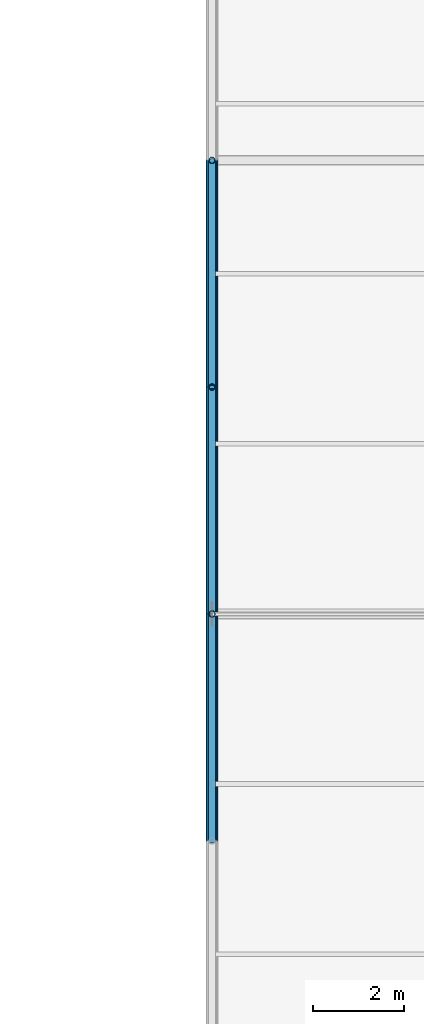
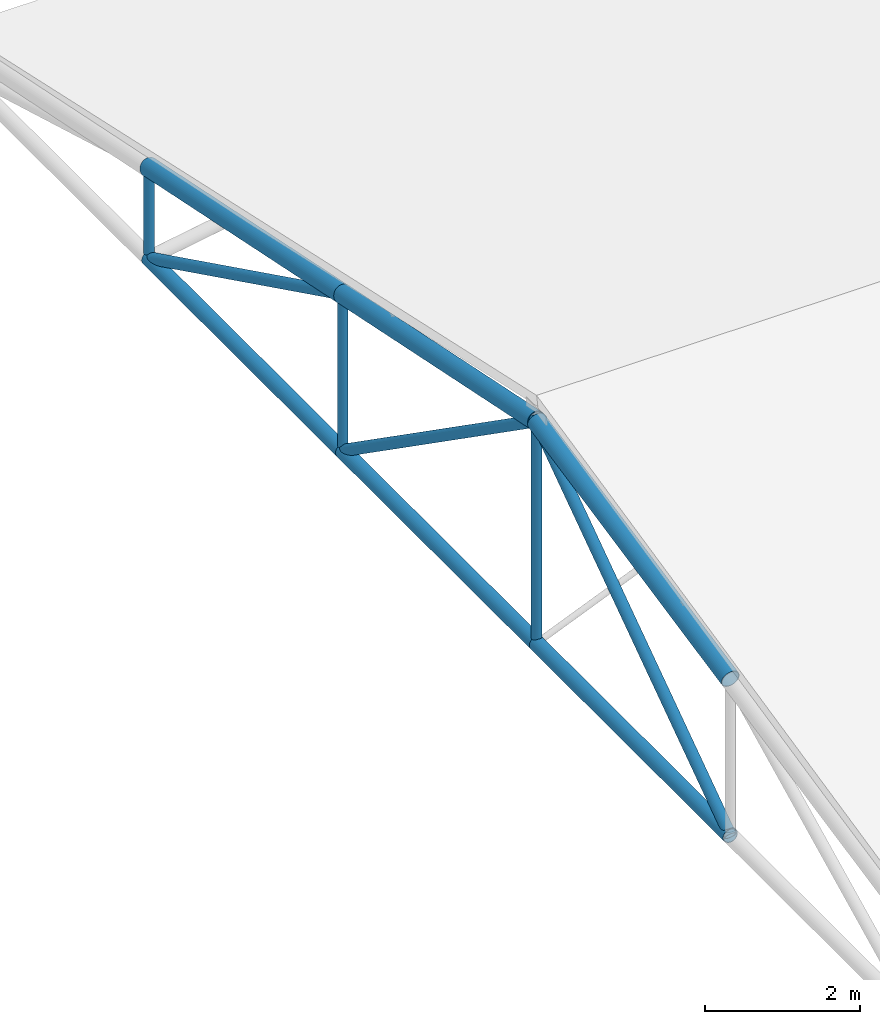
# One storey, part 12 of 194: 12 members.
"""IFC4 building model written with IfcOpenShell, lengths in metres."""

from ifc_helpers import new_model, si_unit, direction, frame, origin, origin_2d, place, context, subcontext, project, spatial, hollow_circle, extrude, material, material_profile, profile_set, type_object, element, save


model = new_model("IFC4")

# Units and contexts
model_context = context("Model", 3, precision=1e-05, world=origin(), true_north=direction((0.0, 1.0)))
body_context = subcontext(model_context, "Body", "Model", "MODEL_VIEW")
ifc_project = project(units=[si_unit("LENGTHUNIT", "METRE"), si_unit("AREAUNIT", "SQUARE_METRE"), si_unit("VOLUMEUNIT", "CUBIC_METRE"), si_unit("PLANEANGLEUNIT", "RADIAN"), si_unit("MASSUNIT", "GRAM", prefix="KILO")], contexts=[model_context])

# Site, building, storey
site_placement = place(None, origin())
site = spatial("IfcSite", under=ifc_project, at=site_placement, CompositionType="ELEMENT")
building_placement = place(site_placement, origin())
building = spatial("IfcBuilding", under=site, at=building_placement, Name="Kazenagashi Tramway Depot", CompositionType="ELEMENT")
storey_placement = place(building_placement, frame((0.0, 0.0, 23.7)))
storey = spatial("IfcBuildingStorey", under=building, at=storey_placement, Name="ROOF", CompositionType="ELEMENT", Elevation=23.7)

# Members
ifc_material = material(Name="Steel STK490", Category="steel")
ifc_material_profile_1 = material_profile(ifc_material, hollow_circle(Radius=0.1337, WallThickness=0.0093, at=origin_2d()), Name="CHS-267.4x9.3")
ifc_profile_set_1 = profile_set([ifc_material_profile_1], Name="Steel STK490")
member_type_1 = type_object("IfcMemberType", Name="TC-01", PredefinedType="CHORD", material=ifc_profile_set_1)
for number, where, z_axis, x_axis, name in (
    (1, (44.8, 110.0, -11.633), (0.0, 0.979317999984, 0.202327098797), (-1.0, 0.0, 0.0), "Tubular Space Frame TC-01 MEM-0038"),
    (2, (44.8, 115.0, -10.6), (0.0, 0.979317999984, -0.202327098797), (-1.0, 0.0, 0.0), "Tubular Space Frame TC-01 MEM-0041"),
):
    element("IfcMember", number, at=place(storey_placement, frame(where, z_axis=z_axis, x_axis=x_axis)), inside=storey, type_object=member_type_1, Name=name, PredefinedType="CHORD", context=body_context, shape_type="SweptSolid", body=[
        extrude(hollow_circle(Radius=0.1337, WallThickness=0.0093, at=origin_2d()), origin(), (0.0, 0.0, 1.0), 5.105594),
    ])
member_1_placement = place(storey_placement, frame((44.8, 120.0, -11.633), z_axis=(0.0, 0.979279174591, -0.202514933305), x_axis=(-1.0, 0.0, 0.0)))
element("IfcMember", 3, at=member_1_placement, inside=storey, type_object=member_type_1, Name="Tubular Space Frame TC-01 MEM-0044", PredefinedType="CHORD", context=body_context, shape_type="SweptSolid", body=[
    extrude(hollow_circle(Radius=0.1337, WallThickness=0.0093, at=origin_2d()), origin(), (0.0, 0.0, 1.0), 5.105796),
])
ifc_material_profile_2 = material_profile(ifc_material, hollow_circle(Radius=0.10815, WallThickness=0.0082, at=origin_2d()), Name="CHS-216.3x8.2")
ifc_profile_set_2 = profile_set([ifc_material_profile_2], Name="Steel STK490")
member_type_2 = type_object("IfcMemberType", Name="TC-02", PredefinedType="CHORD", material=ifc_profile_set_2)
for number, where, z_axis, x_axis, name in (
    (4, (44.8, 110.0, -14.1), (0.0, 1.0, 0.0), (-1.0, 0.0, 0.0), "Tubular Space Frame TC-02 MEM-0039"),
    (5, (44.8, 115.0, -14.1), (0.0, 1.0, 0.0), (-1.0, 0.0, 0.0), "Tubular Space Frame TC-02 MEM-0042"),
    (6, (44.8, 120.0, -14.1), (0.0, 1.0, 0.0), (-1.0, 0.0, 0.0), "Tubular Space Frame TC-02 MEM-0045"),
):
    element("IfcMember", number, at=place(storey_placement, frame(where, z_axis=z_axis, x_axis=x_axis)), inside=storey, type_object=member_type_2, Name=name, PredefinedType="CHORD", context=body_context, shape_type="SweptSolid", body=[
        extrude(hollow_circle(Radius=0.10815, WallThickness=0.0082, at=origin_2d()), origin(), (0.0, 0.0, 1.0), 5.0),
    ])
ifc_material_profile_3 = material_profile(ifc_material, hollow_circle(Radius=0.0826, WallThickness=0.0071, at=origin_2d()), Name="CHS-165.2x7.1")
ifc_profile_set_3 = profile_set([ifc_material_profile_3], Name="Steel STK490")
member_type_3 = type_object("IfcMemberType", Name="TS-01", PredefinedType="STRUT", material=ifc_profile_set_3)
for number, where, z_axis, x_axis, name in (
    (7, (44.8, 110.0, -14.1), (0.0, 0.819231920519, 0.573462344363), (-1.0, 0.0, 0.0), "Tubular Space Frame TS-01 MEM-0040"),
    (8, (44.8, 115.0, -10.6), (0.0, 0.819231920519, -0.573462344363), (-1.0, 0.0, 0.0), "Tubular Space Frame TS-01 MEM-0043"),
):
    element("IfcMember", number, at=place(storey_placement, frame(where, z_axis=z_axis, x_axis=x_axis)), inside=storey, type_object=member_type_3, Name=name, PredefinedType="STRUT", context=body_context, shape_type="SweptSolid", body=[
        extrude(hollow_circle(Radius=0.0826, WallThickness=0.0071, at=origin_2d()), origin(), (0.0, 0.0, 1.0), 6.103278),
    ])
member_2_placement = place(storey_placement, frame((44.8, 120.0, -11.633), z_axis=(0.0, 0.896782162482, -0.442472318969), x_axis=(-1.0, 0.0, 0.0)))
element("IfcMember", 9, at=member_2_placement, inside=storey, type_object=member_type_3, Name="Tubular Space Frame TS-01 MEM-0046", PredefinedType="STRUT", context=body_context, shape_type="SweptSolid", body=[
    extrude(hollow_circle(Radius=0.0826, WallThickness=0.0071, at=origin_2d()), origin(), (0.0, 0.0, 1.0), 5.57549),
])
ifc_material_profile_4 = material_profile(ifc_material, hollow_circle(Radius=0.0699, WallThickness=0.0066, at=origin_2d()), Name="CHS-139.8x6.6")
ifc_profile_set_4 = profile_set([ifc_material_profile_4], Name="Steel STK490")
member_type_4 = type_object("IfcMemberType", Name="TS-02", PredefinedType="STRUT", material=ifc_profile_set_4)
member_3_placement = place(storey_placement, frame((44.8, 115.0, -14.1), z_axis=(0.0, 0.0, 1.0), x_axis=(1.0, 0.0, 0.0)))
element("IfcMember", 10, at=member_3_placement, inside=storey, type_object=member_type_4, Name="Tubular Space Frame TS-02 MEM-0052", PredefinedType="STRUT", context=body_context, shape_type="SweptSolid", body=[
    extrude(hollow_circle(Radius=0.0699, WallThickness=0.0066, at=origin_2d()), origin(), (0.0, 0.0, 1.0), 3.5),
])
member_4_placement = place(storey_placement, frame((44.8, 120.0, -14.1), z_axis=(0.0, 0.0, 1.0), x_axis=(1.0, 0.0, 0.0)))
element("IfcMember", 11, at=member_4_placement, inside=storey, type_object=member_type_4, Name="Tubular Space Frame TS-02 MEM-0053", PredefinedType="STRUT", context=body_context, shape_type="SweptSolid", body=[
    extrude(hollow_circle(Radius=0.0699, WallThickness=0.0066, at=origin_2d()), origin(), (0.0, 0.0, 1.0), 2.467),
])
member_5_placement = place(storey_placement, frame((44.8, 125.0, -14.1), z_axis=(0.0, 0.0, 1.0), x_axis=(1.0, 0.0, 0.0)))
element("IfcMember", 12, at=member_5_placement, inside=storey, type_object=member_type_4, Name="Tubular Space Frame TS-02 MEM-0054", PredefinedType="STRUT", context=body_context, shape_type="SweptSolid", body=[
    extrude(hollow_circle(Radius=0.0699, WallThickness=0.0066, at=origin_2d()), origin(), (0.0, 0.0, 1.0), 1.433),
])

save(model, "model.ifc")
